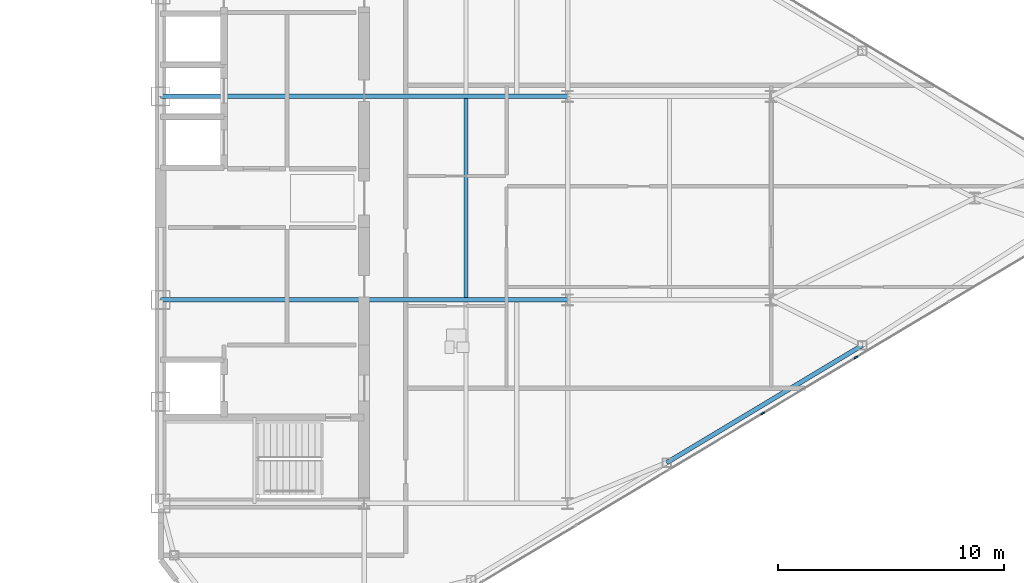
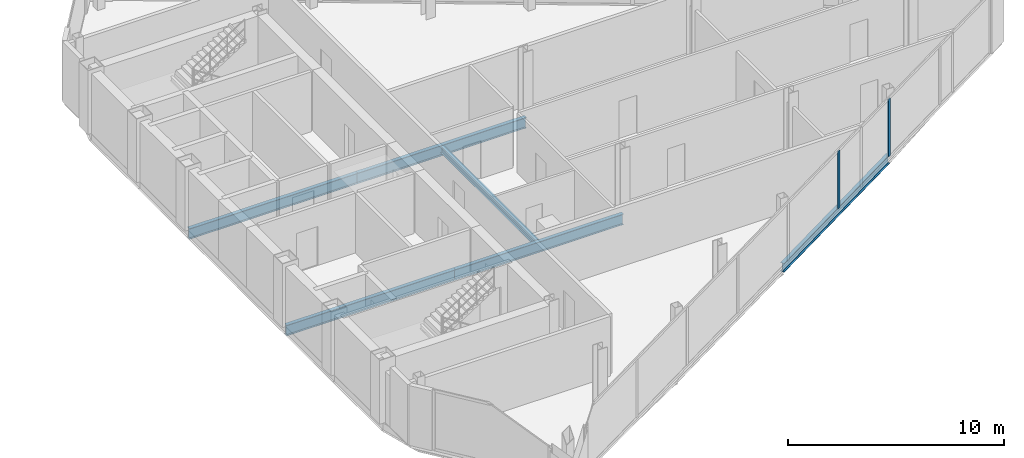
# One storey, part 13 of 25: 6 beams, 2 members, 1 element without a shape of its own.
"""IFC4 building model written with IfcOpenShell, lengths in metres."""

from ifc_helpers import new_model, si_unit, direction, frame, origin, origin_2d, place, context, subcontext, project, spatial, rectangle, i_section, extrude, source, transform, mapped, material, layer, layer_set, material_profile, profile_set, type_object, type_shapes, element, aggregate, save


model = new_model("IFC4")

# Units and contexts
model_context = context("Model", 3, precision=1e-05, world=origin(), true_north=direction((0.0, 1.0)))
body_context = subcontext(model_context, "Body", "Model", "MODEL_VIEW")
ifc_project = project(units=[si_unit("LENGTHUNIT", "METRE"), si_unit("AREAUNIT", "SQUARE_METRE"), si_unit("VOLUMEUNIT", "CUBIC_METRE"), si_unit("PLANEANGLEUNIT", "RADIAN"), si_unit("MASSUNIT", "GRAM", prefix="KILO")], contexts=[model_context])

# Site, building, storey
site_placement = place(None, origin())
site = spatial("IfcSite", under=ifc_project, at=site_placement, CompositionType="ELEMENT")
building_placement = place(site_placement, origin())
building = spatial("IfcBuilding", under=site, at=building_placement, Name="Seokmaru Belvedere", CompositionType="ELEMENT")
storey_placement = place(building_placement, frame((0.0, 0.0, 213.89990234375)))
storey = spatial("IfcBuildingStorey", under=building, at=storey_placement, Name="L57", CompositionType="ELEMENT", Elevation=213.89990234375)

# Beams
ifc_material_1 = material(Name="Steel SM355 (355 MPa)", Category="steel")
ifc_material_profile_1 = material_profile(ifc_material_1, i_section(OverallWidth=0.199951171875, OverallDepth=0.60009765625, WebThickness=0.010986328125, FlangeThickness=0.01708984375, at=origin_2d()), Name="H-600x200x11x17")
ifc_profile_set_1 = profile_set([ifc_material_profile_1], Name="Steel SM355 (355 MPa)")
beam_type_1 = type_object("IfcBeamType", Name="Primary Floor Girder H-600", PredefinedType="BEAM", material=ifc_profile_set_1)
shared_shape_1 = source(origin(), body_context, "Body", "SweptSolid", [
    extrude(i_section(OverallWidth=0.199951171875, OverallDepth=0.60009765625, WebThickness=0.010986328125, FlangeThickness=0.01708984375, at=origin_2d()), origin(), (0.0, 0.0, 1.0), 9.0),
])
type_shapes(beam_type_1, [shared_shape_1])
for number, where, z_axis, x_axis, name in (
    (1, (27.5, -4.5, -0.52001953125), (1.0, 0.0, 0.0), (0.0, 1.0, 0.0), "L57 E Core Tie Girder 2"),
    (2, (36.5, -4.5, -0.52001953125), (1.0, 0.0, 0.0), (0.0, 1.0, 0.0), "L57 E Wing Primary Girder 2"),
    (3, (27.5, 4.5, -0.52001953125), (1.0, 0.0, 0.0), (0.0, 1.0, 0.0), "L57 E Core Tie Girder 3"),
    (4, (36.5, 4.5, -0.52001953125), (1.0, 0.0, 0.0), (0.0, 1.0, 0.0), "L57 E Wing Primary Girder 3"),
):
    element("IfcBeam", number, at=place(storey_placement, frame(where, z_axis=z_axis, x_axis=x_axis)), inside=storey, type_object=beam_type_1, Name=name, PredefinedType="BEAM", context=body_context, shape_type="MappedRepresentation", body=[
        mapped(shared_shape_1, transform((0.0, 0.0, 0.0), scale=1.0)),
    ])
ifc_material_profile_2 = material_profile(ifc_material_1, i_section(OverallWidth=0.18505859375, OverallDepth=0.389892578125, WebThickness=0.008056640625, FlangeThickness=0.011962890625, at=origin_2d()), Name="H-390x185x8x12")
ifc_profile_set_2 = profile_set([ifc_material_profile_2], Name="Steel SM355 (355 MPa)")
beam_type_2 = type_object("IfcBeamType", Name="Secondary Floor Joist H-350", PredefinedType="JOIST", material=ifc_profile_set_2)
shared_shape_2 = source(origin(), body_context, "Body", "SweptSolid", [
    extrude(i_section(OverallWidth=0.18505859375, OverallDepth=0.389892578125, WebThickness=0.008056640625, FlangeThickness=0.011962890625, at=origin_2d()), origin(), (0.0, 0.0, 1.0), 8.7900390625),
])
type_shapes(beam_type_2, [shared_shape_2])
beam_1_placement = place(storey_placement, frame((41.0, -4.39501953125, -0.414794921875), z_axis=(0.0, 1.0, 0.0), x_axis=(-1.0, 0.0, 0.0)))
element("IfcBeam", 5, at=beam_1_placement, inside=storey, type_object=beam_type_2, Name="L57 E Secondary Floor Joist 2", PredefinedType="JOIST", context=body_context, shape_type="MappedRepresentation", body=[
    mapped(shared_shape_2, transform((0.0, 0.0, 0.0), scale=1.0)),
])
ifc_material_profile_3 = material_profile(ifc_material_1, i_section(OverallWidth=0.199951171875, OverallDepth=0.5, WebThickness=0.010009765625, FlangeThickness=0.01611328125, at=origin_2d()), Name="H-500x200x10x16")
ifc_profile_set_3 = profile_set([ifc_material_profile_3], Name="Steel SM355 (355 MPa)")
beam_type_3 = type_object("IfcBeamType", Name="Perimeter Spandrel Beam H-500", PredefinedType="SPANDREL", material=ifc_profile_set_3)
shared_shape_3 = source(origin(), body_context, "Body", "SweptSolid", [
    extrude(i_section(OverallWidth=0.199951171875, OverallDepth=0.5, WebThickness=0.010009765625, FlangeThickness=0.01611328125, at=origin_2d()), origin(), (0.0, 0.0, 1.0), 10.087646484375),
])
type_shapes(beam_type_3, [shared_shape_3])
beam_2_placement = place(storey_placement, frame((49.8798828125, -11.698974609375, -0.469970703125), z_axis=(0.857488654804, 0.514502873542, 0.0), x_axis=(-0.514502873542, 0.857488654804, 0.0)))
element("IfcBeam", 6, at=beam_2_placement, inside=storey, type_object=beam_type_3, Name="L57 E Faceted Flank Spandrel S-3", PredefinedType="SPANDREL", context=body_context, shape_type="MappedRepresentation", body=[
    mapped(shared_shape_3, transform((0.0, 0.0, 0.0), scale=1.0)),
])

# Curtain wall, members
ifc_material_2 = material(Name="Bronze Triple Insulating Glass", Category="glass")
ifc_layer = layer(ifc_material_2, 0.179931640625)
ifc_layer_set = layer_set([ifc_layer], Name="Bronze Triple Insulating Glass")
curtain_wall_type = type_object("IfcCurtainWallType", Name="High-Rise Wind-Corner Curtain Wall System CW-5", PredefinedType="NOTDEFINED", material=ifc_layer_set)
curtain_wall_placement = place(storey_placement, origin())
curtain_wall = element("IfcCurtainWall", 7, at=curtain_wall_placement, inside=storey, type_object=curtain_wall_type, Name="L57 Curtain Wall EF1", PredefinedType="NOTDEFINED")
ifc_material_3 = material(Name="Anodised Bronze Aluminium", Category="aluminium")
ifc_material_profile_4 = material_profile(ifc_material_3, rectangle(XDim=0.06494140625, YDim=0.179931640625, at=origin_2d()), Name="CW-M-65x180")
ifc_profile_set_4 = profile_set([ifc_material_profile_4], Name="Anodised Bronze Aluminium")
member_type = type_object("IfcMemberType", Name="Bronze Unitised Mullion 65x180", PredefinedType="MULLION", material=ifc_profile_set_4)
shared_shape_4 = source(origin(), body_context, "Body", "SweptSolid", [
    extrude(rectangle(XDim=0.06494140625, YDim=0.179931640625, at=origin_2d()), origin(), (0.0, 0.0, 1.0), 3.25),
])
type_shapes(member_type, [shared_shape_4])
member_1_placement = place(storey_placement, frame((54.12841796875, -9.52294921875, 0.065185546875), z_axis=(0.0, 0.0, 1.0), x_axis=(-0.514494909364, 0.85749343335, 0.0)))
member_1 = element("IfcMember", 8, at=member_1_placement, type_object=member_type, Name="CW:L57:EF1 Mullion 6", PredefinedType="MULLION", context=body_context, shape_type="MappedRepresentation", body=[
    mapped(shared_shape_4, transform((0.0, 0.0, 0.0), scale=1.0)),
])
member_2_placement = place(storey_placement, frame((58.257080078125, -7.0458984375, 0.065185546875), z_axis=(0.0, 0.0, 1.0), x_axis=(-0.514494909364, 0.85749343335, 0.0)))
member_2 = element("IfcMember", 9, at=member_2_placement, type_object=member_type, Name="CW:L57:EF1 Mullion 7", PredefinedType="MULLION", context=body_context, shape_type="MappedRepresentation", body=[
    mapped(shared_shape_4, transform((0.0, 0.0, 0.0), scale=1.0)),
])
aggregate(curtain_wall, [member_1, member_2])

save(model, "model.ifc")
